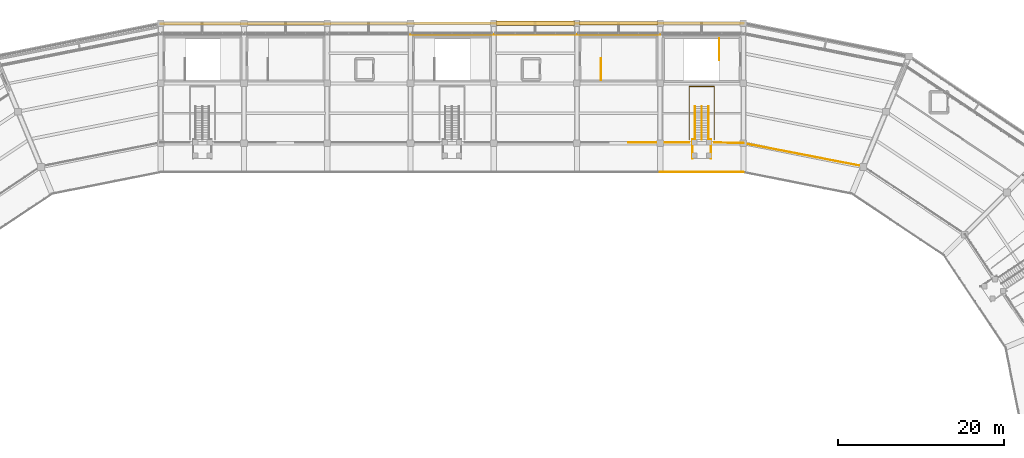
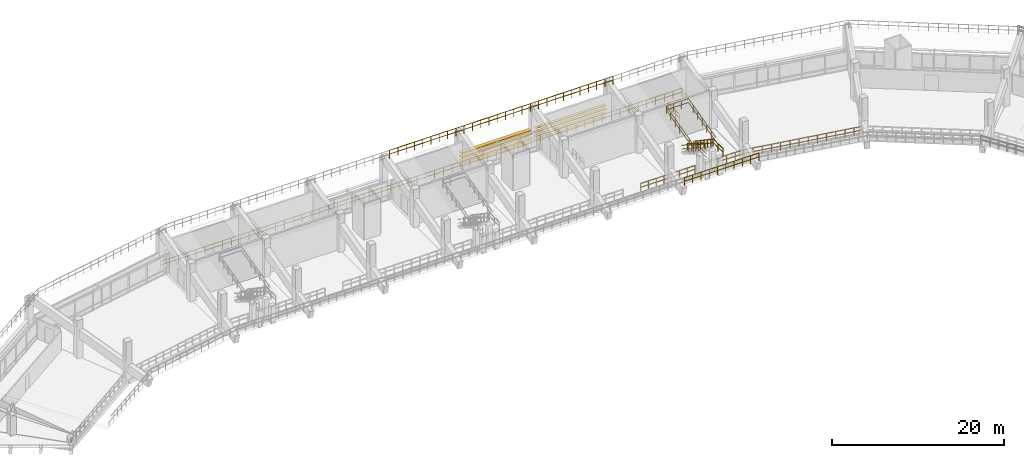
# One storey, part 95 of 96: 14 railings, 8 shading devices.
"""IFC4 building model written with IfcOpenShell, lengths in metres."""

import ifcopenshell
import ifcopenshell.guid

model = None  # the IFC model being written
_history = None  # IfcOwnerHistory: only IFC2X3 demands one
_inside = {}  # id of a spatial element -> (the spatial element, [elements in it])
_under = {}  # id of a project, library or spatial element -> (it, [spatial elements below it])
_declared = {}  # id of a project -> (the project, [libraries it declares])
_typed = {}  # id of a type object -> (the type object, [elements of that type])
_made_of = {}  # id of a material, layer set ... -> (it, [elements and type objects made of it])


def new_model(schema):
    """Start an empty IFC model of exactly this schema.

    Asked for "IFC4X3", IfcOpenShell would pick the latest addendum, in which some entities
    have other attributes; the version numbers below select the first issue.
    IFC2X3 requires an IfcOwnerHistory on every rooted entity: one is made here for all.
    """
    global model, _history
    if schema == "IFC4X3":
        model = ifcopenshell.file(schema_version=(4, 3, 0, 0))
    else:
        model = ifcopenshell.file(schema=schema)
    _inside.clear()
    _under.clear()
    _declared.clear()
    _typed.clear()
    _made_of.clear()
    _history = None
    if model.schema == "IFC2X3":
        org = make("IfcOrganization", Name="unknown")
        user = make(
            "IfcPersonAndOrganization",
            ThePerson=make("IfcPerson", FamilyName="unknown"),
            TheOrganization=org,
        )
        app = make(
            "IfcApplication",
            ApplicationDeveloper=org,
            Version="unknown",
            ApplicationFullName="unknown",
            ApplicationIdentifier="unknown",
        )
        _history = make(
            "IfcOwnerHistory",
            OwningUser=user,
            OwningApplication=app,
            ChangeAction="ADDED",
            CreationDate=0,
        )
    return model


def make(cls, **values):
    """One entity of the class cls with the attributes given. An attribute that is None is left unset."""
    return model.create_entity(
        cls, **{name: value for name, value in values.items() if value is not None}
    )


def rooted(cls, **values):
    """An entity with a GlobalId (a new one), such as an element, a storey or a relation."""
    return make(cls, GlobalId=ifcopenshell.guid.new(), OwnerHistory=_history, **values)


def si_unit(unit_type, name, prefix=None):
    """IfcSIUnit, for example si_unit("LENGTHUNIT", "METRE", prefix="MILLI")."""
    return make("IfcSIUnit", UnitType=unit_type, Prefix=prefix, Name=name)


def assignment(units):
    """IfcUnitAssignment: the units of a project."""
    return None if units is None else make("IfcUnitAssignment", Units=units)


def point(xyz):
    """IfcCartesianPoint."""
    return None if xyz is None else make("IfcCartesianPoint", Coordinates=xyz)


def direction(xyz):
    """IfcDirection."""
    return None if xyz is None else make("IfcDirection", DirectionRatios=xyz)


def frame(location, z_axis=None, x_axis=None):
    """IfcAxis2Placement3D, a coordinate frame: its origin and axes. An axis left out is left unset."""
    return make(
        "IfcAxis2Placement3D",
        Location=point(location),
        Axis=direction(z_axis),
        RefDirection=direction(x_axis),
    )


def frame_2d(location, x_axis=None):
    """IfcAxis2Placement2D, a coordinate frame in the plane: its origin and x axis."""
    return make(
        "IfcAxis2Placement2D", Location=point(location), RefDirection=direction(x_axis)
    )


def origin():
    """The frame at (0, 0, 0) with its axes left unset."""
    return frame((0.0, 0.0, 0.0))


def origin_2d():
    """The frame at (0, 0) in the plane with its x axis left unset."""
    return frame_2d((0.0, 0.0))


def place(relative_to, where):
    """IfcLocalPlacement: puts the frame where relative to a parent placement (None: the world)."""
    return make(
        "IfcLocalPlacement", PlacementRelTo=relative_to, RelativePlacement=where
    )


def context(
    kind, dimensions, precision=None, world=None, true_north=None, identifier=None
):
    """IfcGeometricRepresentationContext, for example the 3D "Model" context."""
    return make(
        "IfcGeometricRepresentationContext",
        ContextIdentifier=identifier,
        ContextType=kind,
        CoordinateSpaceDimension=dimensions,
        Precision=precision,
        WorldCoordinateSystem=world,
        TrueNorth=true_north,
    )


def subcontext(parent, identifier, kind, view, scale=None):
    """IfcGeometricRepresentationSubContext, for example "Body" below "Model"."""
    return make(
        "IfcGeometricRepresentationSubContext",
        ContextIdentifier=identifier,
        ContextType=kind,
        ParentContext=parent,
        TargetScale=scale,
        TargetView=view,
    )


def project(units=None, contexts=None):
    """IfcProject with its units and contexts."""
    return rooted(
        "IfcProject",
        Name="project",
        RepresentationContexts=contexts,
        UnitsInContext=assignment(units),
    )


def spatial(cls, under=None, at=None, **own):
    """A site, building, storey or space (cls), placed at a placement, below another one or the project."""
    s = rooted(cls, ObjectPlacement=at, **own)
    if under is not None:
        _under.setdefault(under.id(), (under, []))[1].append(s)
    return s


def profile(cls, at=None, kind="AREA", **sizes):
    """A parametric profile (cls). Its sizes go by their IFC names, for example OverallWidth=200.0."""
    return make(cls, ProfileType=kind, Position=at, **sizes)


def rectangle(**sizes):
    """IfcRectangleProfileDef."""
    return profile("IfcRectangleProfileDef", **sizes)


def circle(**sizes):
    """IfcCircleProfileDef."""
    return profile("IfcCircleProfileDef", **sizes)


def extrude(swept, where, along, depth):
    """IfcExtrudedAreaSolid: the profile swept, set in the frame where, extruded along a direction by depth."""
    return make(
        "IfcExtrudedAreaSolid",
        SweptArea=swept,
        Position=where,
        ExtrudedDirection=direction(along),
        Depth=depth,
    )


def shape(context_of_items, identifier, shape_type, items):
    """IfcShapeRepresentation: the items that make up one representation, for example the "Body"."""
    return make(
        "IfcShapeRepresentation",
        ContextOfItems=context_of_items,
        RepresentationIdentifier=identifier,
        RepresentationType=shape_type,
        Items=items,
    )


def material(Name=None, Category=None):
    """IfcMaterial."""
    return make("IfcMaterial", Name=Name, Category=Category)


def layer(
    of_material, thickness, ventilated=None, Name=None, Category=None, Priority=None
):
    """IfcMaterialLayer: one layer of a wall or slab, of a material (None: an air gap)."""
    return make(
        "IfcMaterialLayer",
        Material=of_material,
        LayerThickness=thickness,
        IsVentilated=ventilated,
        Name=Name,
        Category=Category,
        Priority=Priority,
    )


def layer_set(layers, Name=None):
    """IfcMaterialLayerSet."""
    return make("IfcMaterialLayerSet", MaterialLayers=layers, LayerSetName=Name)


def made_of(thing, what):
    """Note that an element or type object is made of a material, layer set ...; save() writes the relation."""
    if what is not None:
        _made_of.setdefault(what.id(), (what, []))[1].append(thing)
    return thing


def type_object(cls, material=None, **own):
    """A type object (cls), such as IfcWallType, which elements share."""
    return made_of(rooted(cls, **own), material)


def element(
    cls,
    number,
    at=None,
    inside=None,
    cuts=None,
    type_object=None,
    material=None,
    context=None,
    identifier="Body",
    shape_type=None,
    held_by="IfcProductDefinitionShape",
    body=None,
    shapes=None,
    **own,
):
    """One element of the class cls, such as IfcWall. Its Tag is "e" and its number.

    at: its placement. inside: the storey or other place that contains it. cuts: it is an
    opening in that element (IfcRelVoidsElement). A single representation is given by context,
    identifier, shape_type and body (its items); several are given by shapes. held_by: the class
    of the entity that holds the representations. save() writes the other relations.
    """
    e = rooted(cls, Tag="e%d" % number, ObjectPlacement=at, **own)
    if body is not None:
        shapes = [shape(context, identifier, shape_type, body)]
    if shapes is not None:
        e.Representation = make(held_by, Representations=shapes)
    if inside is not None:
        _inside.setdefault(inside.id(), (inside, []))[1].append(e)
    if cuts is not None:
        rooted(
            "IfcRelVoidsElement", RelatingBuildingElement=cuts, RelatedOpeningElement=e
        )
    if type_object is not None:
        _typed.setdefault(type_object.id(), (type_object, []))[1].append(e)
    return made_of(e, material)


def aggregate(whole, parts):
    """IfcRelAggregates: a whole, such as a stair, and the parts it consists of."""
    return rooted("IfcRelAggregates", RelatingObject=whole, RelatedObjects=parts)


def save(model, path):
    """Write the relations noted so far, then the file.

    IfcRelAggregates (storeys below a building ...), IfcRelContainedInSpatialStructure (elements
    in a storey), IfcRelDefinesByType, IfcRelAssociatesMaterial and IfcRelDeclares: one each for
    every whole, place, type object, material and project.
    """
    for whole, parts in _under.values():
        aggregate(whole, parts)
    for where, things in _inside.values():
        rooted(
            "IfcRelContainedInSpatialStructure",
            RelatedElements=things,
            RelatingStructure=where,
        )
    for kind, things in _typed.values():
        rooted("IfcRelDefinesByType", RelatedObjects=things, RelatingType=kind)
    for what, things in _made_of.values():
        rooted("IfcRelAssociatesMaterial", RelatedObjects=things, RelatingMaterial=what)
    for by, libraries in _declared.values():
        rooted("IfcRelDeclares", RelatingContext=by, RelatedDefinitions=libraries)
    model.write(path)


model = new_model("IFC4")

# Units and contexts
model_context = context("Model", 3, precision=1e-05, world=origin(), true_north=direction((0.0, 1.0)))
body_context = subcontext(model_context, "Body", "Model", "MODEL_VIEW")
ifc_project = project(units=[si_unit("LENGTHUNIT", "METRE"), si_unit("AREAUNIT", "SQUARE_METRE"), si_unit("VOLUMEUNIT", "CUBIC_METRE"), si_unit("PLANEANGLEUNIT", "RADIAN"), si_unit("MASSUNIT", "GRAM", prefix="KILO")], contexts=[model_context])

# Site, building, storey
site_placement = place(None, origin())
site = spatial("IfcSite", under=ifc_project, at=site_placement, CompositionType="ELEMENT")
building_placement = place(site_placement, origin())
building = spatial("IfcBuilding", under=site, at=building_placement, Name="Candeia Ridge Stadium", CompositionType="ELEMENT")
storey_placement = place(building_placement, frame((0.0, 0.0, 21.60009765625)))
storey = spatial("IfcBuildingStorey", under=building, at=storey_placement, Name="L04", CompositionType="ELEMENT", Elevation=21.60009765625)

# Railings
ifc_material_1 = material(Name="Galvanized Powder-Coated Steel", Category="steel")
ifc_layer_1 = layer(ifc_material_1, 0.074951171875, Name="Galvanized Powder-Coated Steel", Category="steel")
ifc_layer_set_1 = layer_set([ifc_layer_1], Name="Galvanized Powder-Coated Steel")
railing_type_1 = type_object("IfcRailingType", Name="Spectator Bowl Front Guardrail 1120", PredefinedType="GUARDRAIL", material=ifc_layer_set_1)
for number, where, name in (
    (1, (141.0, 129.1201171875, 1.64990234375), "Stand T3 front safety guardrail bay 01"),
    (2, (131.0, 145.679931640625, 6.0), "Stand T3 rear safety guardrail bay 02"),
    (3, (121.0, 145.679931640625, 6.0), "Stand T3 rear safety guardrail bay 03"),
    (4, (111.0, 145.679931640625, 6.0), "Stand T3 rear safety guardrail bay 04"),
):
    element("IfcRailing", number, at=place(storey_placement, frame(where)), inside=storey, type_object=railing_type_1, Name=name, PredefinedType="GUARDRAIL", context=body_context, shape_type="SweptSolid", body=[
        extrude(circle(Radius=0.02392578125, at=origin_2d()), frame((0.0, 0.0, 1.09619140625), z_axis=(-1.0, 0.0, 0.0), x_axis=(0.0, -1.0, 0.0)), (0.0, 0.0, 1.0), 10.0),
        extrude(circle(Radius=0.02392578125, at=origin_2d()), frame((0.0, 0.0, 0.56005859375), z_axis=(-1.0, 0.0, 0.0), x_axis=(0.0, -1.0, 0.0)), (0.0, 0.0, 1.0), 10.0),
        extrude(circle(Radius=0.02099609375, at=origin_2d()), origin(), (0.0, 0.0, 1.0), 1.072021484375),
        extrude(circle(Radius=0.02099609375, at=origin_2d()), frame((-1.111083984375, 0.0, 0.0)), (0.0, 0.0, 1.0), 1.072021484375),
        extrude(circle(Radius=0.02099609375, at=origin_2d()), frame((-2.22216796875, 0.0, 0.0)), (0.0, 0.0, 1.0), 1.072021484375),
        extrude(circle(Radius=0.02099609375, at=origin_2d()), frame((-3.333251953125, 0.0, 0.0)), (0.0, 0.0, 1.0), 1.072021484375),
        extrude(circle(Radius=0.02099609375, at=origin_2d()), frame((-4.4443359375, 0.0, 0.0)), (0.0, 0.0, 1.0), 1.072021484375),
        extrude(circle(Radius=0.02099609375, at=origin_2d()), frame((-5.5556640625, 0.0, 0.0)), (0.0, 0.0, 1.0), 1.072021484375),
        extrude(circle(Radius=0.02099609375, at=origin_2d()), frame((-6.666748046875, 0.0, 0.0)), (0.0, 0.0, 1.0), 1.072021484375),
        extrude(circle(Radius=0.02099609375, at=origin_2d()), frame((-7.77783203125, 0.0, 0.0)), (0.0, 0.0, 1.0), 1.072021484375),
        extrude(circle(Radius=0.02099609375, at=origin_2d()), frame((-8.888916015625, 0.0, 0.0)), (0.0, 0.0, 1.0), 1.072021484375),
        extrude(circle(Radius=0.02099609375, at=origin_2d()), frame((-10.0, 0.0, 0.0)), (0.0, 0.0, 1.0), 1.072021484375),
    ])
railing_1_placement = place(storey_placement, frame((71.0, 146.919921875, 0.0)))
element("IfcRailing", 5, at=railing_1_placement, inside=storey, type_object=railing_type_1, Name="Deck edge safety guardrail GR-DE-L04-0193", PredefinedType="GUARDRAIL", context=body_context, shape_type="SweptSolid", body=[
    extrude(circle(Radius=0.02392578125, at=origin_2d()), frame((0.0, 0.0, 1.09619140625), z_axis=(0.999999345663, 0.001143972466, 0.0), x_axis=(-0.001143972466, 0.999999345663, 0.0)), (0.0, 0.0, 1.0), 70.0),
    extrude(circle(Radius=0.02392578125, at=origin_2d()), frame((0.0, 0.0, 0.56005859375), z_axis=(0.999999345663, 0.001143972466, 0.0), x_axis=(-0.001143972466, 0.999999345663, 0.0)), (0.0, 0.0, 1.0), 70.0),
    extrude(circle(Radius=0.02099609375, at=origin_2d()), origin(), (0.0, 0.0, 1.0), 1.072021484375),
    extrude(circle(Radius=0.02099609375, at=origin_2d()), frame((1.1865234375, 0.00146484375, 0.0)), (0.0, 0.0, 1.0), 1.072021484375),
    extrude(circle(Radius=0.02099609375, at=origin_2d()), frame((2.372802734375, 0.002685546875, 0.0)), (0.0, 0.0, 1.0), 1.072021484375),
    extrude(circle(Radius=0.02099609375, at=origin_2d()), frame((3.559326171875, 0.004150390625, 0.0)), (0.0, 0.0, 1.0), 1.072021484375),
    extrude(circle(Radius=0.02099609375, at=origin_2d()), frame((4.745849609375, 0.00537109375, 0.0)), (0.0, 0.0, 1.0), 1.072021484375),
    extrude(circle(Radius=0.02099609375, at=origin_2d()), frame((5.93212890625, 0.0068359375, 0.0)), (0.0, 0.0, 1.0), 1.072021484375),
    extrude(circle(Radius=0.02099609375, at=origin_2d()), frame((7.11865234375, 0.008056640625, 0.0)), (0.0, 0.0, 1.0), 1.072021484375),
    extrude(circle(Radius=0.02099609375, at=origin_2d()), frame((8.30517578125, 0.009521484375, 0.0)), (0.0, 0.0, 1.0), 1.072021484375),
    extrude(circle(Radius=0.02099609375, at=origin_2d()), frame((9.491455078125, 0.0107421875, 0.0)), (0.0, 0.0, 1.0), 1.072021484375),
    extrude(circle(Radius=0.02099609375, at=origin_2d()), frame((10.677978515625, 0.01220703125, 0.0)), (0.0, 0.0, 1.0), 1.072021484375),
    extrude(circle(Radius=0.02099609375, at=origin_2d()), frame((11.864501953125, 0.013671875, 0.0)), (0.0, 0.0, 1.0), 1.072021484375),
    extrude(circle(Radius=0.02099609375, at=origin_2d()), frame((13.05078125, 0.014892578125, 0.0)), (0.0, 0.0, 1.0), 1.072021484375),
    extrude(circle(Radius=0.02099609375, at=origin_2d()), frame((14.2373046875, 0.016357421875, 0.0)), (0.0, 0.0, 1.0), 1.072021484375),
    extrude(circle(Radius=0.02099609375, at=origin_2d()), frame((15.423828125, 0.017578125, 0.0)), (0.0, 0.0, 1.0), 1.072021484375),
    extrude(circle(Radius=0.02099609375, at=origin_2d()), frame((16.610107421875, 0.01904296875, 0.0)), (0.0, 0.0, 1.0), 1.072021484375),
    extrude(circle(Radius=0.02099609375, at=origin_2d()), frame((17.796630859375, 0.020263671875, 0.0)), (0.0, 0.0, 1.0), 1.072021484375),
    extrude(circle(Radius=0.02099609375, at=origin_2d()), frame((18.983154296875, 0.021728515625, 0.0)), (0.0, 0.0, 1.0), 1.072021484375),
    extrude(circle(Radius=0.02099609375, at=origin_2d()), frame((20.16943359375, 0.023193359375, 0.0)), (0.0, 0.0, 1.0), 1.072021484375),
    extrude(circle(Radius=0.02099609375, at=origin_2d()), frame((21.35595703125, 0.0244140625, 0.0)), (0.0, 0.0, 1.0), 1.072021484375),
    extrude(circle(Radius=0.02099609375, at=origin_2d()), frame((22.54248046875, 0.02587890625, 0.0)), (0.0, 0.0, 1.0), 1.072021484375),
    extrude(circle(Radius=0.02099609375, at=origin_2d()), frame((23.728759765625, 0.027099609375, 0.0)), (0.0, 0.0, 1.0), 1.072021484375),
    extrude(circle(Radius=0.02099609375, at=origin_2d()), frame((24.915283203125, 0.028564453125, 0.0)), (0.0, 0.0, 1.0), 1.072021484375),
    extrude(circle(Radius=0.02099609375, at=origin_2d()), frame((26.101806640625, 0.02978515625, 0.0)), (0.0, 0.0, 1.0), 1.072021484375),
    extrude(circle(Radius=0.02099609375, at=origin_2d()), frame((27.2880859375, 0.03125, 0.0)), (0.0, 0.0, 1.0), 1.072021484375),
    extrude(circle(Radius=0.02099609375, at=origin_2d()), frame((28.474609375, 0.032470703125, 0.0)), (0.0, 0.0, 1.0), 1.072021484375),
    extrude(circle(Radius=0.02099609375, at=origin_2d()), frame((29.6611328125, 0.033935546875, 0.0)), (0.0, 0.0, 1.0), 1.072021484375),
    extrude(circle(Radius=0.02099609375, at=origin_2d()), frame((30.847412109375, 0.035400390625, 0.0)), (0.0, 0.0, 1.0), 1.072021484375),
    extrude(circle(Radius=0.02099609375, at=origin_2d()), frame((32.033935546875, 0.03662109375, 0.0)), (0.0, 0.0, 1.0), 1.072021484375),
    extrude(circle(Radius=0.02099609375, at=origin_2d()), frame((33.220458984375, 0.0380859375, 0.0)), (0.0, 0.0, 1.0), 1.072021484375),
    extrude(circle(Radius=0.02099609375, at=origin_2d()), frame((34.40673828125, 0.039306640625, 0.0)), (0.0, 0.0, 1.0), 1.072021484375),
    extrude(circle(Radius=0.02099609375, at=origin_2d()), frame((35.59326171875, 0.040771484375, 0.0)), (0.0, 0.0, 1.0), 1.072021484375),
    extrude(circle(Radius=0.02099609375, at=origin_2d()), frame((36.779541015625, 0.0419921875, 0.0)), (0.0, 0.0, 1.0), 1.072021484375),
    extrude(circle(Radius=0.02099609375, at=origin_2d()), frame((37.966064453125, 0.04345703125, 0.0)), (0.0, 0.0, 1.0), 1.072021484375),
    extrude(circle(Radius=0.02099609375, at=origin_2d()), frame((39.152587890625, 0.044677734375, 0.0)), (0.0, 0.0, 1.0), 1.072021484375),
    extrude(circle(Radius=0.02099609375, at=origin_2d()), frame((40.3388671875, 0.046142578125, 0.0)), (0.0, 0.0, 1.0), 1.072021484375),
    extrude(circle(Radius=0.02099609375, at=origin_2d()), frame((41.525390625, 0.047607421875, 0.0)), (0.0, 0.0, 1.0), 1.072021484375),
    extrude(circle(Radius=0.02099609375, at=origin_2d()), frame((42.7119140625, 0.048828125, 0.0)), (0.0, 0.0, 1.0), 1.072021484375),
    extrude(circle(Radius=0.02099609375, at=origin_2d()), frame((43.898193359375, 0.05029296875, 0.0)), (0.0, 0.0, 1.0), 1.072021484375),
    extrude(circle(Radius=0.02099609375, at=origin_2d()), frame((45.084716796875, 0.051513671875, 0.0)), (0.0, 0.0, 1.0), 1.072021484375),
    extrude(circle(Radius=0.02099609375, at=origin_2d()), frame((46.271240234375, 0.052978515625, 0.0)), (0.0, 0.0, 1.0), 1.072021484375),
    extrude(circle(Radius=0.02099609375, at=origin_2d()), frame((47.45751953125, 0.05419921875, 0.0)), (0.0, 0.0, 1.0), 1.072021484375),
    extrude(circle(Radius=0.02099609375, at=origin_2d()), frame((48.64404296875, 0.0556640625, 0.0)), (0.0, 0.0, 1.0), 1.072021484375),
    extrude(circle(Radius=0.02099609375, at=origin_2d()), frame((49.83056640625, 0.056884765625, 0.0)), (0.0, 0.0, 1.0), 1.072021484375),
    extrude(circle(Radius=0.02099609375, at=origin_2d()), frame((51.016845703125, 0.058349609375, 0.0)), (0.0, 0.0, 1.0), 1.072021484375),
    extrude(circle(Radius=0.02099609375, at=origin_2d()), frame((52.203369140625, 0.059814453125, 0.0)), (0.0, 0.0, 1.0), 1.072021484375),
    extrude(circle(Radius=0.02099609375, at=origin_2d()), frame((53.389892578125, 0.06103515625, 0.0)), (0.0, 0.0, 1.0), 1.072021484375),
    extrude(circle(Radius=0.02099609375, at=origin_2d()), frame((54.576171875, 0.0625, 0.0)), (0.0, 0.0, 1.0), 1.072021484375),
    extrude(circle(Radius=0.02099609375, at=origin_2d()), frame((55.7626953125, 0.063720703125, 0.0)), (0.0, 0.0, 1.0), 1.072021484375),
    extrude(circle(Radius=0.02099609375, at=origin_2d()), frame((56.94921875, 0.065185546875, 0.0)), (0.0, 0.0, 1.0), 1.072021484375),
    extrude(circle(Radius=0.02099609375, at=origin_2d()), frame((58.135498046875, 0.06640625, 0.0)), (0.0, 0.0, 1.0), 1.072021484375),
    extrude(circle(Radius=0.02099609375, at=origin_2d()), frame((59.322021484375, 0.06787109375, 0.0)), (0.0, 0.0, 1.0), 1.072021484375),
    extrude(circle(Radius=0.02099609375, at=origin_2d()), frame((60.508544921875, 0.0693359375, 0.0)), (0.0, 0.0, 1.0), 1.072021484375),
    extrude(circle(Radius=0.02099609375, at=origin_2d()), frame((61.69482421875, 0.070556640625, 0.0)), (0.0, 0.0, 1.0), 1.072021484375),
    extrude(circle(Radius=0.02099609375, at=origin_2d()), frame((62.88134765625, 0.072021484375, 0.0)), (0.0, 0.0, 1.0), 1.072021484375),
    extrude(circle(Radius=0.02099609375, at=origin_2d()), frame((64.06787109375, 0.0732421875, 0.0)), (0.0, 0.0, 1.0), 1.072021484375),
    extrude(circle(Radius=0.02099609375, at=origin_2d()), frame((65.254150390625, 0.07470703125, 0.0)), (0.0, 0.0, 1.0), 1.072021484375),
    extrude(circle(Radius=0.02099609375, at=origin_2d()), frame((66.440673828125, 0.075927734375, 0.0)), (0.0, 0.0, 1.0), 1.072021484375),
    extrude(circle(Radius=0.02099609375, at=origin_2d()), frame((67.627197265625, 0.077392578125, 0.0)), (0.0, 0.0, 1.0), 1.072021484375),
    extrude(circle(Radius=0.02099609375, at=origin_2d()), frame((68.8134765625, 0.07861328125, 0.0)), (0.0, 0.0, 1.0), 1.072021484375),
    extrude(circle(Radius=0.02099609375, at=origin_2d()), frame((70.0, 0.080078125, 0.0)), (0.0, 0.0, 1.0), 1.072021484375),
])
railing_2_placement = place(storey_placement, frame((155.404541015625, 129.81640625, 0.0)))
element("IfcRailing", 6, at=railing_2_placement, inside=storey, type_object=railing_type_1, Name="Deck edge safety guardrail GR-DE-L04-0228", PredefinedType="GUARDRAIL", context=body_context, shape_type="SweptSolid", body=[
    extrude(circle(Radius=0.02392578125, at=origin_2d()), frame((0.0, 0.0, 1.09619140625), z_axis=(-0.981834289828, 0.189740420885, 0.0), x_axis=(-0.189740420885, -0.981834289828, 0.0)), (0.0, 0.0, 1.0), 14.671142578125),
    extrude(circle(Radius=0.02392578125, at=origin_2d()), frame((0.0, 0.0, 0.56005859375), z_axis=(-0.981834289828, 0.189740420885, 0.0), x_axis=(-0.189740420885, -0.981834289828, 0.0)), (0.0, 0.0, 1.0), 14.671142578125),
    extrude(circle(Radius=0.02099609375, at=origin_2d()), origin(), (0.0, 0.0, 1.0), 1.072021484375),
    extrude(circle(Radius=0.02099609375, at=origin_2d()), frame((-1.108154296875, 0.214111328125, 0.0)), (0.0, 0.0, 1.0), 1.072021484375),
    extrude(circle(Radius=0.02099609375, at=origin_2d()), frame((-2.216064453125, 0.42822265625, 0.0)), (0.0, 0.0, 1.0), 1.072021484375),
    extrude(circle(Radius=0.02099609375, at=origin_2d()), frame((-3.32421875, 0.642333984375, 0.0)), (0.0, 0.0, 1.0), 1.072021484375),
    extrude(circle(Radius=0.02099609375, at=origin_2d()), frame((-4.43212890625, 0.8564453125, 0.0)), (0.0, 0.0, 1.0), 1.072021484375),
    extrude(circle(Radius=0.02099609375, at=origin_2d()), frame((-5.540283203125, 1.070556640625, 0.0)), (0.0, 0.0, 1.0), 1.072021484375),
    extrude(circle(Radius=0.02099609375, at=origin_2d()), frame((-6.648193359375, 1.28466796875, 0.0)), (0.0, 0.0, 1.0), 1.072021484375),
    extrude(circle(Radius=0.02099609375, at=origin_2d()), frame((-7.75634765625, 1.4990234375, 0.0)), (0.0, 0.0, 1.0), 1.072021484375),
    extrude(circle(Radius=0.02099609375, at=origin_2d()), frame((-8.8642578125, 1.713134765625, 0.0)), (0.0, 0.0, 1.0), 1.072021484375),
    extrude(circle(Radius=0.02099609375, at=origin_2d()), frame((-9.972412109375, 1.92724609375, 0.0)), (0.0, 0.0, 1.0), 1.072021484375),
    extrude(circle(Radius=0.02099609375, at=origin_2d()), frame((-11.080322265625, 2.141357421875, 0.0)), (0.0, 0.0, 1.0), 1.072021484375),
    extrude(circle(Radius=0.02099609375, at=origin_2d()), frame((-12.1884765625, 2.35546875, 0.0)), (0.0, 0.0, 1.0), 1.072021484375),
    extrude(circle(Radius=0.02099609375, at=origin_2d()), frame((-13.29638671875, 2.569580078125, 0.0)), (0.0, 0.0, 1.0), 1.072021484375),
    extrude(circle(Radius=0.02099609375, at=origin_2d()), frame((-14.404541015625, 2.78369140625, 0.0)), (0.0, 0.0, 1.0), 1.072021484375),
])
railing_3_placement = place(storey_placement, frame((141.0, 132.60009765625, 0.0)))
element("IfcRailing", 7, at=railing_3_placement, inside=storey, type_object=railing_type_1, Name="Deck edge safety guardrail GR-DE-L04-0229", PredefinedType="GUARDRAIL", context=body_context, shape_type="SweptSolid", body=[
    extrude(circle(Radius=0.02392578125, at=origin_2d()), frame((0.0, 0.0, 1.09619140625), z_axis=(-0.999736960712, 0.022934894496, 0.0), x_axis=(-0.022934894496, -0.999736960712, 0.0)), (0.0, 0.0, 1.0), 3.48095703125),
    extrude(circle(Radius=0.02392578125, at=origin_2d()), frame((0.0, 0.0, 0.56005859375), z_axis=(-0.999736960712, 0.022934894496, 0.0), x_axis=(-0.022934894496, -0.999736960712, 0.0)), (0.0, 0.0, 1.0), 3.48095703125),
    extrude(circle(Radius=0.02099609375, at=origin_2d()), origin(), (0.0, 0.0, 1.0), 1.072021484375),
    extrude(circle(Radius=0.02099609375, at=origin_2d()), frame((-1.159912109375, 0.026611328125, 0.0)), (0.0, 0.0, 1.0), 1.072021484375),
    extrude(circle(Radius=0.02099609375, at=origin_2d()), frame((-2.320068359375, 0.05322265625, 0.0)), (0.0, 0.0, 1.0), 1.072021484375),
    extrude(circle(Radius=0.02099609375, at=origin_2d()), frame((-3.47998046875, 0.079833984375, 0.0)), (0.0, 0.0, 1.0), 1.072021484375),
])
railing_4_placement = place(storey_placement, frame((134.47998046875, 132.679931640625, 0.0)))
element("IfcRailing", 8, at=railing_4_placement, inside=storey, type_object=railing_type_1, Name="Deck edge safety guardrail GR-DE-L04-0230", PredefinedType="GUARDRAIL", context=body_context, shape_type="SweptSolid", body=[
    extrude(circle(Radius=0.02392578125, at=origin_2d()), frame((0.0, 0.0, 1.09619140625), z_axis=(-1.0, 0.0, 0.0), x_axis=(0.0, -1.0, 0.0)), (0.0, 0.0, 1.0), 7.280029296875),
    extrude(circle(Radius=0.02392578125, at=origin_2d()), frame((0.0, 0.0, 0.56005859375), z_axis=(-1.0, 0.0, 0.0), x_axis=(0.0, -1.0, 0.0)), (0.0, 0.0, 1.0), 7.280029296875),
    extrude(circle(Radius=0.02099609375, at=origin_2d()), origin(), (0.0, 0.0, 1.0), 1.072021484375),
    extrude(circle(Radius=0.02099609375, at=origin_2d()), frame((-1.0400390625, 0.0, 0.0)), (0.0, 0.0, 1.0), 1.072021484375),
    extrude(circle(Radius=0.02099609375, at=origin_2d()), frame((-2.080078125, 0.0, 0.0)), (0.0, 0.0, 1.0), 1.072021484375),
    extrude(circle(Radius=0.02099609375, at=origin_2d()), frame((-3.1201171875, 0.0, 0.0)), (0.0, 0.0, 1.0), 1.072021484375),
    extrude(circle(Radius=0.02099609375, at=origin_2d()), frame((-4.159912109375, 0.0, 0.0)), (0.0, 0.0, 1.0), 1.072021484375),
    extrude(circle(Radius=0.02099609375, at=origin_2d()), frame((-5.199951171875, 0.0, 0.0)), (0.0, 0.0, 1.0), 1.072021484375),
    extrude(circle(Radius=0.02099609375, at=origin_2d()), frame((-6.239990234375, 0.0, 0.0)), (0.0, 0.0, 1.0), 1.072021484375),
    extrude(circle(Radius=0.02099609375, at=origin_2d()), frame((-7.280029296875, 0.0, 0.0)), (0.0, 0.0, 1.0), 1.072021484375),
])
ifc_material_2 = material(Name="Brushed Stainless Steel", Category="steel")
ifc_layer_2 = layer(ifc_material_2, 0.048095703125, Name="Brushed Stainless Steel", Category="steel")
ifc_layer_set_2 = layer_set([ifc_layer_2], Name="Brushed Stainless Steel")
railing_type_2 = type_object("IfcRailingType", Name="Stair Wall & Flight Handrail 900", PredefinedType="HANDRAIL", material=ifc_layer_set_2)
railing_5_placement = place(storey_placement, frame((136.0, 137.02197265625, 0.179443359375)))
element("IfcRailing", 9, at=railing_5_placement, inside=storey, type_object=railing_type_2, Name="Vomitory stair handrail VS25", PredefinedType="HANDRAIL", context=body_context, shape_type="SweptSolid", body=[
    extrude(circle(Radius=0.02392578125, at=origin_2d()), frame((0.0, 0.0, 0.8759765625), z_axis=(0.0, -0.846023572205, 0.533145491656), x_axis=(1.0, 0.0, 0.0)), (0.0, 0.0, 1.0), 4.716064453125),
    extrude(circle(Radius=0.02099609375, at=origin_2d()), origin(), (0.0, 0.0, 1.0), 0.851806640625),
    extrude(circle(Radius=0.02099609375, at=origin_2d()), frame((0.0, -0.99755859375, 0.628662109375)), (0.0, 0.0, 1.0), 0.851806640625),
    extrude(circle(Radius=0.02099609375, at=origin_2d()), frame((0.0, -1.9951171875, 1.25732421875)), (0.0, 0.0, 1.0), 0.851806640625),
    extrude(circle(Radius=0.02099609375, at=origin_2d()), frame((0.0, -2.992431640625, 1.8857421875)), (0.0, 0.0, 1.0), 0.851806640625),
    extrude(circle(Radius=0.02099609375, at=origin_2d()), frame((0.0, -3.989990234375, 2.514404296875)), (0.0, 0.0, 1.0), 0.851806640625),
])
ifc_layer_3 = layer(ifc_material_1, 0.06005859375, Name="Galvanized Powder-Coated Steel", Category="steel")
ifc_layer_set_3 = layer_set([ifc_layer_3], Name="Galvanized Powder-Coated Steel")
railing_type_3 = type_object("IfcRailingType", Name="Stair Well Guardrail 1100", PredefinedType="GUARDRAIL", material=ifc_layer_set_3)
railing_6_placement = place(storey_placement, frame((138.10009765625, 145.199951171875, 0.0)))
element("IfcRailing", 10, at=railing_6_placement, inside=storey, type_object=railing_type_3, Name="L04 ST04 top well guard 1", PredefinedType="GUARDRAIL", context=body_context, shape_type="SweptSolid", body=[
    extrude(circle(Radius=0.02392578125, at=origin_2d()), frame((0.0, 0.0, 1.076171875), z_axis=(0.0, -1.0, 0.0), x_axis=(1.0, 0.0, 0.0)), (0.0, 0.0, 1.0), 2.599853515625),
    extrude(circle(Radius=0.02392578125, at=origin_2d()), frame((0.0, 0.0, 0.550048828125), z_axis=(0.0, -1.0, 0.0), x_axis=(1.0, 0.0, 0.0)), (0.0, 0.0, 1.0), 2.599853515625),
    extrude(circle(Radius=0.02099609375, at=origin_2d()), origin(), (0.0, 0.0, 1.0), 1.052001953125),
    extrude(circle(Radius=0.02099609375, at=origin_2d()), frame((0.0, -0.86669921875, 0.0)), (0.0, 0.0, 1.0), 1.052001953125),
    extrude(circle(Radius=0.02099609375, at=origin_2d()), frame((0.0, -1.733154296875, 0.0)), (0.0, 0.0, 1.0), 1.052001953125),
    extrude(circle(Radius=0.02099609375, at=origin_2d()), frame((0.0, -2.599853515625, 0.0)), (0.0, 0.0, 1.0), 1.052001953125),
])
railing_7_placement = place(storey_placement, frame((123.89990234375, 140.199951171875, 0.0)))
element("IfcRailing", 11, at=railing_7_placement, inside=storey, type_object=railing_type_3, Name="L04 ST10 top well guard 1", PredefinedType="GUARDRAIL", context=body_context, shape_type="SweptSolid", body=[
    extrude(circle(Radius=0.02392578125, at=origin_2d()), frame((0.0, 0.0, 1.076171875), z_axis=(0.0, 1.0, 0.0), x_axis=(-1.0, 0.0, 0.0)), (0.0, 0.0, 1.0), 2.60009765625),
    extrude(circle(Radius=0.02392578125, at=origin_2d()), frame((0.0, 0.0, 0.550048828125), z_axis=(0.0, 1.0, 0.0), x_axis=(-1.0, 0.0, 0.0)), (0.0, 0.0, 1.0), 2.60009765625),
    extrude(circle(Radius=0.02099609375, at=origin_2d()), origin(), (0.0, 0.0, 1.0), 1.052001953125),
    extrude(circle(Radius=0.02099609375, at=origin_2d()), frame((0.0, 0.86669921875, 0.0)), (0.0, 0.0, 1.0), 1.052001953125),
    extrude(circle(Radius=0.02099609375, at=origin_2d()), frame((0.0, 1.7333984375, 0.0)), (0.0, 0.0, 1.0), 1.052001953125),
    extrude(circle(Radius=0.02099609375, at=origin_2d()), frame((0.0, 2.60009765625, 0.0)), (0.0, 0.0, 1.0), 1.052001953125),
])
ifc_layer_4 = layer(ifc_material_1, 0.070068359375, Name="Galvanized Powder-Coated Steel", Category="steel")
ifc_layer_set_4 = layer_set([ifc_layer_4], Name="Galvanized Powder-Coated Steel")
railing_type_4 = type_object("IfcRailingType", Name="Vomitory Portal Guardrail 1100", PredefinedType="GUARDRAIL", material=ifc_layer_set_4)
railing_8_placement = place(storey_placement, frame((137.5, 133.031982421875, 2.69384765625)))
element("IfcRailing", 12, at=railing_8_placement, inside=storey, type_object=railing_type_4, Name="Vomitory portal guardrail VS25", PredefinedType="GUARDRAIL", context=body_context, shape_type="SweptSolid", body=[
    extrude(circle(Radius=0.02392578125, at=origin_2d()), frame((0.0, 0.0, 1.076171875), z_axis=(0.0, 0.9680721346, 0.250671781842), x_axis=(-1.0, 0.0, 0.0)), (0.0, 0.0, 1.0), 6.594482421875),
    extrude(circle(Radius=0.02392578125, at=origin_2d()), frame((0.0, 0.0, 0.550048828125), z_axis=(0.0, 0.9680721346, 0.250671781842), x_axis=(-1.0, 0.0, 0.0)), (0.0, 0.0, 1.0), 6.594482421875),
    extrude(circle(Radius=0.02392578125, at=origin_2d()), frame((0.0, 6.384033203125, 2.72900390625), z_axis=(-1.0, 0.0, 0.0), x_axis=(0.0, -1.0, 0.0)), (0.0, 0.0, 1.0), 3.0),
    extrude(circle(Radius=0.02392578125, at=origin_2d()), frame((0.0, 6.384033203125, 2.203125), z_axis=(-1.0, 0.0, 0.0), x_axis=(0.0, -1.0, 0.0)), (0.0, 0.0, 1.0), 3.0),
    extrude(circle(Radius=0.02392578125, at=origin_2d()), frame((-3.0, 6.384033203125, 2.72900390625), z_axis=(0.0, -0.9680721346, -0.250671781842), x_axis=(1.0, 0.0, 0.0)), (0.0, 0.0, 1.0), 6.594482421875),
    extrude(circle(Radius=0.02392578125, at=origin_2d()), frame((-3.0, 6.384033203125, 2.203125), z_axis=(0.0, -0.9680721346, -0.250671781842), x_axis=(1.0, 0.0, 0.0)), (0.0, 0.0, 1.0), 6.594482421875),
    extrude(circle(Radius=0.02099609375, at=origin_2d()), origin(), (0.0, 0.0, 1.0), 1.052001953125),
    extrude(circle(Radius=0.02099609375, at=origin_2d()), frame((0.0, 1.06396484375, 0.275390625)), (0.0, 0.0, 1.0), 1.052001953125),
    extrude(circle(Radius=0.02099609375, at=origin_2d()), frame((0.0, 2.1279296875, 0.551025390625)), (0.0, 0.0, 1.0), 1.052001953125),
    extrude(circle(Radius=0.02099609375, at=origin_2d()), frame((0.0, 3.19189453125, 0.82666015625)), (0.0, 0.0, 1.0), 1.052001953125),
    extrude(circle(Radius=0.02099609375, at=origin_2d()), frame((0.0, 4.256103515625, 1.10205078125)), (0.0, 0.0, 1.0), 1.052001953125),
    extrude(circle(Radius=0.02099609375, at=origin_2d()), frame((0.0, 5.320068359375, 1.37744140625)), (0.0, 0.0, 1.0), 1.052001953125),
    extrude(circle(Radius=0.02099609375, at=origin_2d()), frame((0.0, 6.384033203125, 1.653076171875)), (0.0, 0.0, 1.0), 1.052001953125),
    extrude(circle(Radius=0.02099609375, at=origin_2d()), frame((-1.0, 6.384033203125, 1.653076171875)), (0.0, 0.0, 1.0), 1.052001953125),
    extrude(circle(Radius=0.02099609375, at=origin_2d()), frame((-2.0, 6.384033203125, 1.653076171875)), (0.0, 0.0, 1.0), 1.052001953125),
    extrude(circle(Radius=0.02099609375, at=origin_2d()), frame((-3.0, 6.384033203125, 1.653076171875)), (0.0, 0.0, 1.0), 1.052001953125),
    extrude(circle(Radius=0.02099609375, at=origin_2d()), frame((-3.0, 5.320068359375, 1.37744140625)), (0.0, 0.0, 1.0), 1.052001953125),
    extrude(circle(Radius=0.02099609375, at=origin_2d()), frame((-3.0, 4.256103515625, 1.10205078125)), (0.0, 0.0, 1.0), 1.052001953125),
    extrude(circle(Radius=0.02099609375, at=origin_2d()), frame((-3.0, 3.19189453125, 0.82666015625)), (0.0, 0.0, 1.0), 1.052001953125),
    extrude(circle(Radius=0.02099609375, at=origin_2d()), frame((-3.0, 2.1279296875, 0.551025390625)), (0.0, 0.0, 1.0), 1.052001953125),
    extrude(circle(Radius=0.02099609375, at=origin_2d()), frame((-3.0, 1.06396484375, 0.275390625)), (0.0, 0.0, 1.0), 1.052001953125),
    extrude(circle(Radius=0.02099609375, at=origin_2d()), frame((-3.0, 0.0, 0.0)), (0.0, 0.0, 1.0), 1.052001953125),
])
railing_9_placement = place(storey_placement, frame((136.820068359375, 137.02197265625, 0.0)))
element("IfcRailing", 13, at=railing_9_placement, inside=storey, type_object=railing_type_4, Name="Vomitory stair & landing side guardrail VS25-L", PredefinedType="GUARDRAIL", context=body_context, shape_type="SweptSolid", body=[
    extrude(circle(Radius=0.02392578125, at=origin_2d()), frame((0.0, 0.0, 1.076171875), z_axis=(0.0, -0.828790466984, 0.559559078058), x_axis=(1.0, 0.0, 0.0)), (0.0, 0.0, 1.0), 4.814208984375),
    extrude(circle(Radius=0.02392578125, at=origin_2d()), frame((0.0, 0.0, 0.550048828125), z_axis=(0.0, -0.828790466984, 0.559559078058), x_axis=(1.0, 0.0, 0.0)), (0.0, 0.0, 1.0), 4.814208984375),
    extrude(circle(Radius=0.02392578125, at=origin_2d()), frame((0.0, -3.989990234375, 3.77001953125), z_axis=(0.989932225045, 0.141542183877, 0.0), x_axis=(-0.141542183877, 0.989932225045, 0.0)), (0.0, 0.0, 1.0), 0.282958984375),
    extrude(circle(Radius=0.02392578125, at=origin_2d()), frame((0.0, -3.989990234375, 3.243896484375), z_axis=(0.989932225045, 0.141542183877, 0.0), x_axis=(-0.141542183877, 0.989932225045, 0.0)), (0.0, 0.0, 1.0), 0.282958984375),
    extrude(circle(Radius=0.02392578125, at=origin_2d()), frame((0.280029296875, -3.949951171875, 3.77001953125), z_axis=(0.0, -1.0, 0.0), x_axis=(1.0, 0.0, 0.0)), (0.0, 0.0, 1.0), 2.320068359375),
    extrude(circle(Radius=0.02392578125, at=origin_2d()), frame((0.280029296875, -3.949951171875, 3.243896484375), z_axis=(0.0, -1.0, 0.0), x_axis=(1.0, 0.0, 0.0)), (0.0, 0.0, 1.0), 2.320068359375),
    extrude(circle(Radius=0.02099609375, at=origin_2d()), origin(), (0.0, 0.0, 1.0), 1.052001953125),
    extrude(circle(Radius=0.02099609375, at=origin_2d()), frame((0.0, -0.798095703125, 0.538818359375)), (0.0, 0.0, 1.0), 1.052001953125),
    extrude(circle(Radius=0.02099609375, at=origin_2d()), frame((0.0, -1.595947265625, 1.07763671875)), (0.0, 0.0, 1.0), 1.052001953125),
    extrude(circle(Radius=0.02099609375, at=origin_2d()), frame((0.0, -2.39404296875, 1.6162109375)), (0.0, 0.0, 1.0), 1.052001953125),
    extrude(circle(Radius=0.02099609375, at=origin_2d()), frame((0.0, -3.19189453125, 2.155029296875)), (0.0, 0.0, 1.0), 1.052001953125),
    extrude(circle(Radius=0.02099609375, at=origin_2d()), frame((0.0, -3.989990234375, 2.69384765625)), (0.0, 0.0, 1.0), 1.052001953125),
    extrude(circle(Radius=0.02099609375, at=origin_2d()), frame((0.280029296875, -3.949951171875, 2.69384765625)), (0.0, 0.0, 1.0), 1.052001953125),
    extrude(circle(Radius=0.02099609375, at=origin_2d()), frame((0.280029296875, -5.10986328125, 2.69384765625)), (0.0, 0.0, 1.0), 1.052001953125),
    extrude(circle(Radius=0.02099609375, at=origin_2d()), frame((0.280029296875, -6.27001953125, 2.69384765625)), (0.0, 0.0, 1.0), 1.052001953125),
])
railing_10_placement = place(storey_placement, frame((135.179931640625, 137.02197265625, 0.0)))
element("IfcRailing", 14, at=railing_10_placement, inside=storey, type_object=railing_type_4, Name="Vomitory stair & landing side guardrail VS25-R", PredefinedType="GUARDRAIL", context=body_context, shape_type="SweptSolid", body=[
    extrude(circle(Radius=0.02392578125, at=origin_2d()), frame((0.0, 0.0, 1.076171875), z_axis=(0.0, -0.828790466984, 0.559559078058), x_axis=(1.0, 0.0, 0.0)), (0.0, 0.0, 1.0), 4.814208984375),
    extrude(circle(Radius=0.02392578125, at=origin_2d()), frame((0.0, 0.0, 0.550048828125), z_axis=(0.0, -0.828790466984, 0.559559078058), x_axis=(1.0, 0.0, 0.0)), (0.0, 0.0, 1.0), 4.814208984375),
    extrude(circle(Radius=0.02392578125, at=origin_2d()), frame((0.0, -3.989990234375, 3.77001953125), z_axis=(-0.989932225045, 0.141542183877, 0.0), x_axis=(-0.141542183877, -0.989932225045, 0.0)), (0.0, 0.0, 1.0), 0.282958984375),
    extrude(circle(Radius=0.02392578125, at=origin_2d()), frame((0.0, -3.989990234375, 3.243896484375), z_axis=(-0.989932225045, 0.141542183877, 0.0), x_axis=(-0.141542183877, -0.989932225045, 0.0)), (0.0, 0.0, 1.0), 0.282958984375),
    extrude(circle(Radius=0.02392578125, at=origin_2d()), frame((-0.280029296875, -3.949951171875, 3.77001953125), z_axis=(0.0, -1.0, 0.0), x_axis=(1.0, 0.0, 0.0)), (0.0, 0.0, 1.0), 2.320068359375),
    extrude(circle(Radius=0.02392578125, at=origin_2d()), frame((-0.280029296875, -3.949951171875, 3.243896484375), z_axis=(0.0, -1.0, 0.0), x_axis=(1.0, 0.0, 0.0)), (0.0, 0.0, 1.0), 2.320068359375),
    extrude(circle(Radius=0.02099609375, at=origin_2d()), origin(), (0.0, 0.0, 1.0), 1.052001953125),
    extrude(circle(Radius=0.02099609375, at=origin_2d()), frame((0.0, -0.798095703125, 0.538818359375)), (0.0, 0.0, 1.0), 1.052001953125),
    extrude(circle(Radius=0.02099609375, at=origin_2d()), frame((0.0, -1.595947265625, 1.07763671875)), (0.0, 0.0, 1.0), 1.052001953125),
    extrude(circle(Radius=0.02099609375, at=origin_2d()), frame((0.0, -2.39404296875, 1.6162109375)), (0.0, 0.0, 1.0), 1.052001953125),
    extrude(circle(Radius=0.02099609375, at=origin_2d()), frame((0.0, -3.19189453125, 2.155029296875)), (0.0, 0.0, 1.0), 1.052001953125),
    extrude(circle(Radius=0.02099609375, at=origin_2d()), frame((0.0, -3.989990234375, 2.69384765625)), (0.0, 0.0, 1.0), 1.052001953125),
    extrude(circle(Radius=0.02099609375, at=origin_2d()), frame((-0.280029296875, -3.949951171875, 2.69384765625)), (0.0, 0.0, 1.0), 1.052001953125),
    extrude(circle(Radius=0.02099609375, at=origin_2d()), frame((-0.280029296875, -5.10986328125, 2.69384765625)), (0.0, 0.0, 1.0), 1.052001953125),
    extrude(circle(Radius=0.02099609375, at=origin_2d()), frame((-0.280029296875, -6.27001953125, 2.69384765625)), (0.0, 0.0, 1.0), 1.052001953125),
])

# Shading devices
ifc_material_3 = material(Name="Aluminium Anodized Warm Bronze", Category="aluminium")
shading_device_type_1 = type_object("IfcShadingDeviceType", Name="Weathered Bronze Horizontal Solar Rib 380x85", PredefinedType="JALOUSIE", material=ifc_material_3)
for number, where, z_axis, x_axis, name in (
    (15, (126.0, 147.0, 0.5673828125), (0.0, 0.0, 1.0), (-1.0, 0.0, 0.0), "Weathered bronze horizontal solar rib L04 bay 02-1"),
    (16, (126.0, 147.0, 1.17724609375), (0.0, 0.0, 1.0), (-1.0, 0.0, 0.0), "Weathered bronze horizontal solar rib L04 bay 02-2"),
    (17, (126.0, 147.0, 1.787109375), (0.0, 0.0, 1.0), (-1.0, 0.0, 0.0), "Weathered bronze horizontal solar rib L04 bay 02-3"),
    (18, (126.0, 147.0, 2.341552734375), (0.0, 0.0, 1.0), (-1.0, 0.0, 0.0), "Weathered bronze horizontal solar rib L04 bay 02-4"),
):
    element("IfcShadingDevice", number, at=place(storey_placement, frame(where, z_axis=z_axis, x_axis=x_axis)), inside=storey, type_object=shading_device_type_1, Name=name, PredefinedType="JALOUSIE", context=body_context, shape_type="SweptSolid", body=[
        extrude(rectangle(XDim=9.5, YDim=0.3798828125, at=origin_2d()), origin(), (0.0, 0.0, 1.0), 0.0849609375),
    ])
shading_device_type_2 = type_object("IfcShadingDeviceType", Name="Weathered Bronze Horizontal Solar Rib 500x105", PredefinedType="JALOUSIE", material=ifc_material_3)
for number, where, z_axis, x_axis, name in (
    (19, (116.0, 147.0, 0.557373046875), (0.0, 0.0, 1.0), (-1.0, 0.0, 0.0), "Weathered bronze horizontal solar rib L04 bay 03-1"),
    (20, (116.0, 147.0, 1.167236328125), (0.0, 0.0, 1.0), (-1.0, 0.0, 0.0), "Weathered bronze horizontal solar rib L04 bay 03-2"),
    (21, (116.0, 147.0, 1.777099609375), (0.0, 0.0, 1.0), (-1.0, 0.0, 0.0), "Weathered bronze horizontal solar rib L04 bay 03-3"),
    (22, (116.0, 147.0, 2.33154296875), (0.0, 0.0, 1.0), (-1.0, 0.0, 0.0), "Weathered bronze horizontal solar rib L04 bay 03-4"),
):
    element("IfcShadingDevice", number, at=place(storey_placement, frame(where, z_axis=z_axis, x_axis=x_axis)), inside=storey, type_object=shading_device_type_2, Name=name, PredefinedType="JALOUSIE", context=body_context, shape_type="SweptSolid", body=[
        extrude(rectangle(XDim=9.5, YDim=0.5, at=origin_2d()), origin(), (0.0, 0.0, 1.0), 0.10498046875),
    ])

save(model, "model.ifc")
